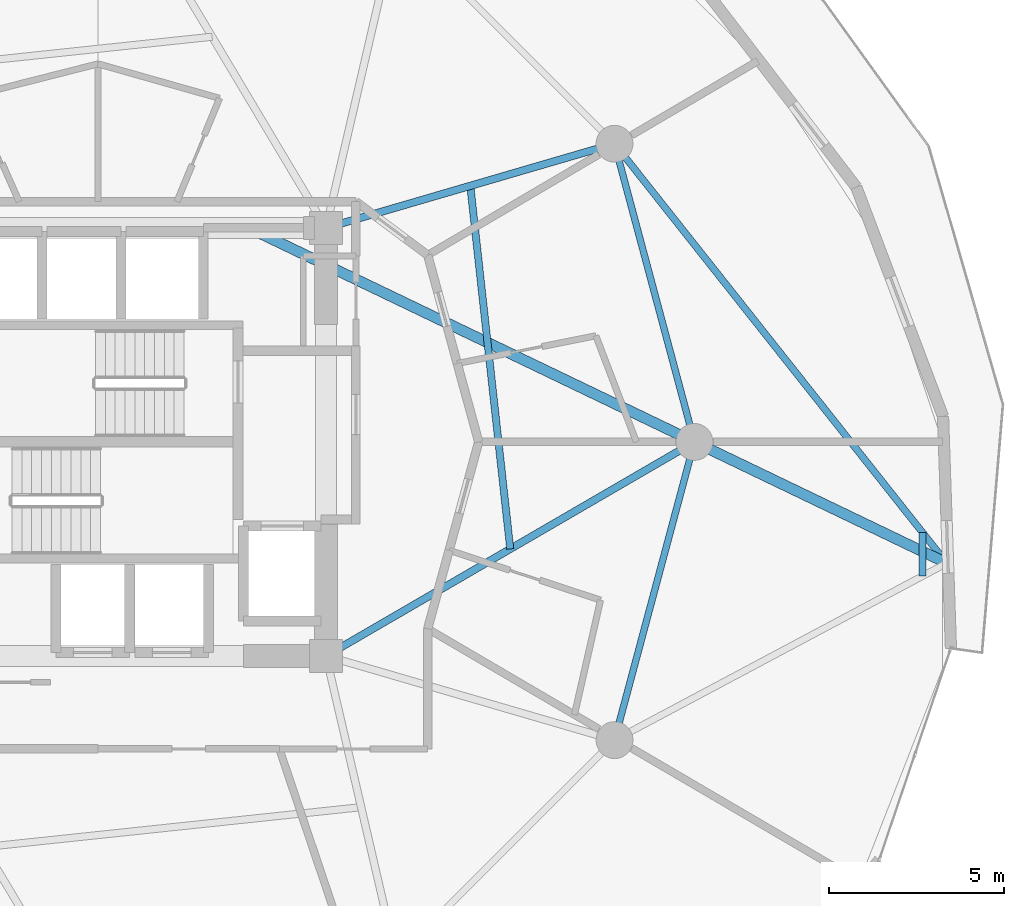
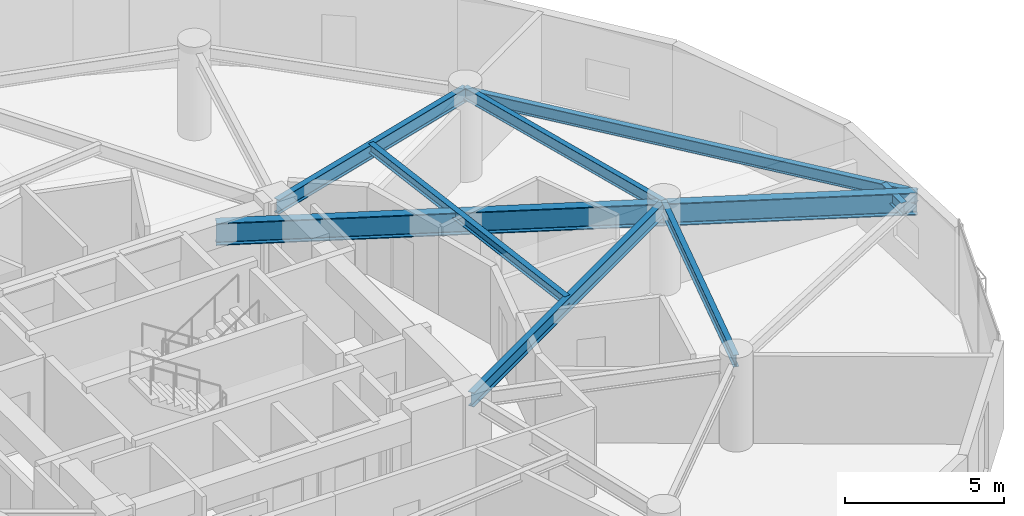
# One storey, part 12 of 23: 9 beams.
"""IFC4 building model written with IfcOpenShell, lengths in metres."""

from ifc_helpers import new_model, si_unit, direction, frame, origin, origin_2d, place, context, subcontext, project, spatial, i_section, extrude, material, material_profile, profile_set, type_object, element, save


model = new_model("IFC4")

# Units and contexts
model_context = context("Model", 3, precision=1e-05, world=origin(), true_north=direction((0.0, 1.0)))
body_context = subcontext(model_context, "Body", "Model", "MODEL_VIEW")
ifc_project = project(units=[si_unit("LENGTHUNIT", "METRE"), si_unit("AREAUNIT", "SQUARE_METRE"), si_unit("VOLUMEUNIT", "CUBIC_METRE"), si_unit("PLANEANGLEUNIT", "RADIAN"), si_unit("MASSUNIT", "GRAM", prefix="KILO")], contexts=[model_context])

# Site, building, storey
site_placement = place(None, origin())
site = spatial("IfcSite", under=ifc_project, at=site_placement, CompositionType="ELEMENT")
building_placement = place(site_placement, origin())
building = spatial("IfcBuilding", under=site, at=building_placement, Name="Solvirekh Grand Hotel", CompositionType="ELEMENT")
storey_placement = place(building_placement, frame((0.0, 0.0, 109.800048828125)))
storey = spatial("IfcBuildingStorey", under=building, at=storey_placement, Name="L27", CompositionType="ELEMENT", Elevation=109.800048828125)

# Beams
ifc_material_1 = material(Name="Steel S460", Category="steel")
ifc_material_profile_1 = material_profile(ifc_material_1, i_section(OverallWidth=0.302001953125, OverallDepth=0.85498046875, WebThickness=0.01904296875, FlangeThickness=0.032958984375, FilletRadius=0.01806640625, at=origin_2d()), Name="W840X299")
ifc_profile_set_1 = profile_set([ifc_material_profile_1], Name="Steel S460")
beam_type_1 = type_object("IfcBeamType", Name="Beam_PoolTie_W840", PredefinedType="BEAM", material=ifc_profile_set_1)
beam_1_placement = place(storey_placement, frame((4.300048828125, 6.10009765625, 2.863037109375), z_axis=(0.901408915203, -0.432968783623, 0.0), x_axis=(0.432968783623, 0.901408915203, 0.0)))
element("IfcBeam", 1, at=beam_1_placement, inside=storey, type_object=beam_type_1, Name="L28 sky-garden back-span tie girder", PredefinedType="BEAM", context=body_context, shape_type="SweptSolid", body=[
    extrude(i_section(OverallWidth=0.302001953125, OverallDepth=0.85498046875, WebThickness=0.01904296875, FlangeThickness=0.032958984375, FilletRadius=0.01806640625, at=origin_2d()), origin(), (0.0, 0.0, 1.0), 14.089111328125),
])
beam_2_placement = place(storey_placement, frame((17.0, 0.0, 2.863037109375), z_axis=(0.90140653485, -0.432973739307, 0.0), x_axis=(0.432973739307, 0.90140653485, 0.0)))
element("IfcBeam", 2, at=beam_2_placement, inside=storey, type_object=beam_type_1, Name="L28 sky-garden primary cantilever bracket", PredefinedType="BEAM", context=body_context, shape_type="SweptSolid", body=[
    extrude(i_section(OverallWidth=0.302001953125, OverallDepth=0.85498046875, WebThickness=0.01904296875, FlangeThickness=0.032958984375, FilletRadius=0.01806640625, at=origin_2d()), origin(), (0.0, 0.0, 1.0), 7.97998046875),
])
ifc_material_2 = material(Name="Steel S355", Category="steel")
ifc_material_profile_2 = material_profile(ifc_material_2, i_section(OverallWidth=0.194091796875, OverallDepth=0.468994140625, WebThickness=0.010986328125, FlangeThickness=0.01904296875, FilletRadius=0.012939453125, at=origin_2d()), Name="W460X106")
ifc_profile_set_2 = profile_set([ifc_material_profile_2], Name="Steel S355")
beam_type_2 = type_object("IfcBeamType", Name="Beam_Radial_W460H", PredefinedType="BEAM", material=ifc_profile_set_2)
beam_3_placement = place(storey_placement, frame((14.721923828125, 8.5, 3.055908203125), z_axis=(0.62097514535, -0.78383025513, 0.0), x_axis=(0.78383025513, 0.62097514535, 0.0)))
element("IfcBeam", 3, at=beam_3_placement, inside=storey, type_object=beam_type_2, Name="L28 sky-garden edge tie beam 2", PredefinedType="BEAM", context=body_context, shape_type="SweptSolid", body=[
    extrude(i_section(OverallWidth=0.194091796875, OverallDepth=0.468994140625, WebThickness=0.010986328125, FlangeThickness=0.01904296875, FilletRadius=0.012939453125, at=origin_2d()), origin(), (0.0, 0.0, 1.0), 15.252197265625),
])
beam_4_placement = place(storey_placement, frame((23.4970703125, -3.825927734375, 3.055908203125), z_axis=(0.0, 1.0, 0.0), x_axis=(-1.0, 0.0, 0.0)))
element("IfcBeam", 4, at=beam_4_placement, inside=storey, type_object=beam_type_2, Name="L28 sky-garden outer cross trimmer", PredefinedType="BEAM", context=body_context, shape_type="SweptSolid", body=[
    extrude(i_section(OverallWidth=0.194091796875, OverallDepth=0.468994140625, WebThickness=0.010986328125, FlangeThickness=0.01904296875, FilletRadius=0.012939453125, at=origin_2d()), origin(), (0.0, 0.0, 1.0), 1.25),
])
ifc_material_profile_3 = material_profile(ifc_material_2, i_section(OverallWidth=0.2119140625, OverallDepth=0.5439453125, WebThickness=0.011962890625, FlangeThickness=0.01904296875, FilletRadius=0.013916015625, at=origin_2d()), Name="W530X123")
ifc_profile_set_3 = profile_set([ifc_material_profile_3], Name="Steel S355")
beam_type_3 = type_object("IfcBeamType", Name="Beam_Radial_W530H", PredefinedType="BEAM", material=ifc_profile_set_3)
beam_5_placement = place(storey_placement, frame((6.5, -6.10009765625, 3.077880859375), z_axis=(0.864670076815, 0.50234018181, 0.0), x_axis=(-0.50234018181, 0.864670076815, 0.0)))
element("IfcBeam", 5, at=beam_5_placement, inside=storey, type_object=beam_type_3, Name="L27 radial floor beam R01", PredefinedType="BEAM", context=body_context, shape_type="SweptSolid", body=[
    extrude(i_section(OverallWidth=0.2119140625, OverallDepth=0.5439453125, WebThickness=0.011962890625, FlangeThickness=0.01904296875, FilletRadius=0.013916015625, at=origin_2d()), origin(), (0.0, 0.0, 1.0), 12.143310546875),
])
beam_6_placement = place(storey_placement, frame((6.5, 6.10009765625, 3.077880859375), z_axis=(0.959942195467, 0.28019811092, 0.0), x_axis=(-0.28019811092, 0.959942195467, 0.0)))
element("IfcBeam", 6, at=beam_6_placement, inside=storey, type_object=beam_type_3, Name="L27 radial floor beam R02", PredefinedType="BEAM", context=body_context, shape_type="SweptSolid", body=[
    extrude(i_section(OverallWidth=0.2119140625, OverallDepth=0.5439453125, WebThickness=0.011962890625, FlangeThickness=0.01904296875, FilletRadius=0.013916015625, at=origin_2d()), origin(), (0.0, 0.0, 1.0), 8.56494140625),
])
ifc_material_profile_4 = material_profile(ifc_material_2, i_section(OverallWidth=0.2041015625, OverallDepth=0.35009765625, WebThickness=0.009033203125, FlangeThickness=0.014892578125, FilletRadius=0.010986328125, at=origin_2d()), Name="W360X72")
ifc_profile_set_4 = profile_set([ifc_material_profile_4], Name="Steel S355")
beam_type_4 = type_object("IfcBeamType", Name="Joist_Floor_W360", PredefinedType="JOIST", material=ifc_profile_set_4)
beam_7_placement = place(storey_placement, frame((11.75, -3.050048828125, 3.175048828125), z_axis=(-0.109378935301, 0.994000125006, 0.0), x_axis=(-0.994000125006, -0.109378935301, 0.0)))
element("IfcBeam", 7, at=beam_7_placement, inside=storey, type_object=beam_type_4, Name="L27 secondary composite floor joist 1", PredefinedType="JOIST", context=body_context, shape_type="SweptSolid", body=[
    extrude(i_section(OverallWidth=0.2041015625, OverallDepth=0.35009765625, WebThickness=0.009033203125, FlangeThickness=0.014892578125, FilletRadius=0.010986328125, at=origin_2d()), origin(), (0.0, 0.0, 1.0), 10.41259765625),
])
ifc_material_profile_5 = material_profile(ifc_material_2, i_section(OverallWidth=0.18994140625, OverallDepth=0.45703125, WebThickness=0.009033203125, FlangeThickness=0.013916015625, FilletRadius=0.012939453125, at=origin_2d()), Name="W460X74")
ifc_profile_set_5 = profile_set([ifc_material_profile_5], Name="Steel S355")
beam_type_5 = type_object("IfcBeamType", Name="Spandrel_Ring_W460", PredefinedType="SPANDREL", material=ifc_profile_set_5)
for number, where, z_axis, x_axis, name in (
    (8, (17.0, 0.0, 3.1220703125), (-0.258872908946, 0.965911391906, 0.0), (-0.965911391906, -0.258872908946, 0.0), "L27 perimeter spandrel beam 1"),
    (9, (14.721923828125, -8.5, 3.1220703125), (0.258872908946, 0.965911391906, 0.0), (-0.965911391906, 0.258872908946, 0.0), "L27 perimeter spandrel beam 12"),
):
    element("IfcBeam", number, at=place(storey_placement, frame(where, z_axis=z_axis, x_axis=x_axis)), inside=storey, type_object=beam_type_5, Name=name, PredefinedType="SPANDREL", context=body_context, shape_type="SweptSolid", body=[
        extrude(i_section(OverallWidth=0.18994140625, OverallDepth=0.45703125, WebThickness=0.009033203125, FlangeThickness=0.013916015625, FilletRadius=0.012939453125, at=origin_2d()), origin(), (0.0, 0.0, 1.0), 8.800048828125),
    ])

save(model, "model.ifc")
